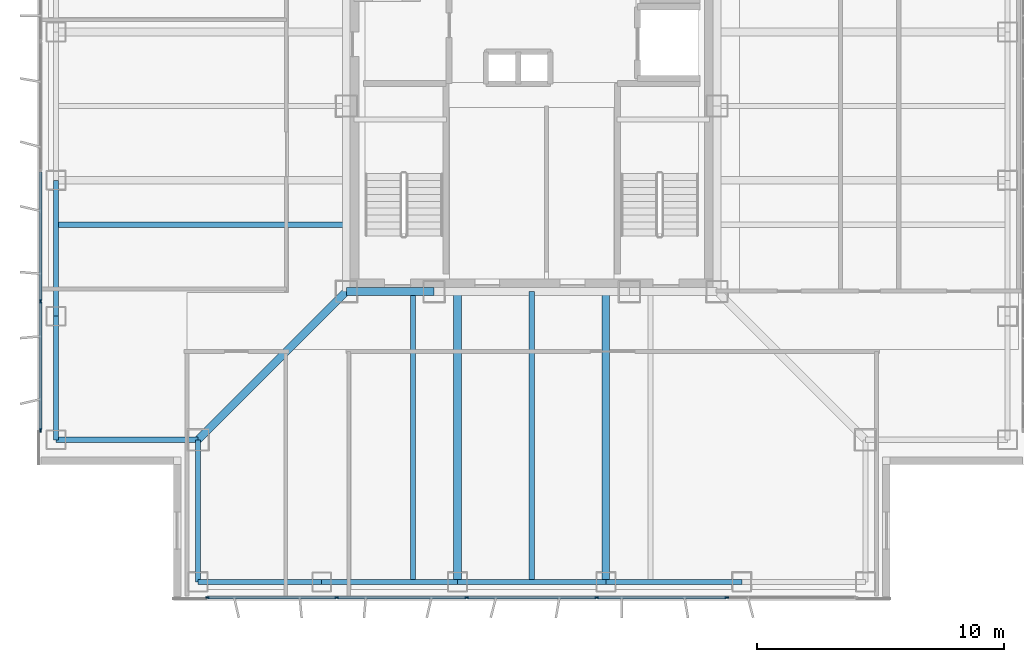
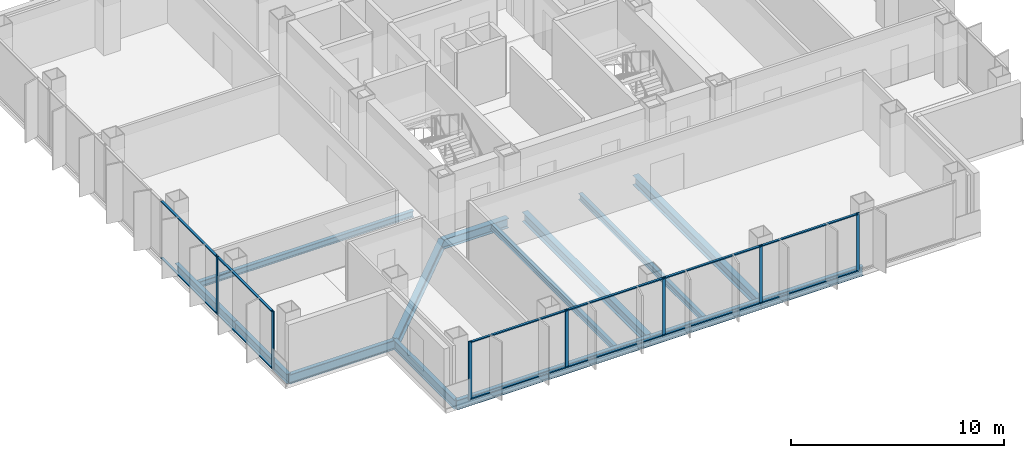
# One storey, part 2 of 17: 19 members, 15 beams, 2 elements without a shape of their own.
"""IFC4 building model written with IfcOpenShell, lengths in metres."""

from ifc_helpers import new_model, si_unit, direction, frame, origin, origin_2d, place, context, subcontext, project, spatial, rectangle, i_section, extrude, material, layer, layer_set, material_profile, profile_set, type_object, element, aggregate, save


model = new_model("IFC4")

# Units and contexts
model_context = context("Model", 3, precision=1e-05, world=origin(), true_north=direction((0.0, 1.0)))
body_context = subcontext(model_context, "Body", "Model", "MODEL_VIEW")
ifc_project = project(units=[si_unit("LENGTHUNIT", "METRE"), si_unit("AREAUNIT", "SQUARE_METRE"), si_unit("VOLUMEUNIT", "CUBIC_METRE"), si_unit("PLANEANGLEUNIT", "RADIAN"), si_unit("MASSUNIT", "GRAM", prefix="KILO")], contexts=[model_context])

# Site, building, storey
site_placement = place(None, origin())
site = spatial("IfcSite", under=ifc_project, at=site_placement, CompositionType="ELEMENT")
building_placement = place(site_placement, origin())
building = spatial("IfcBuilding", under=site, at=building_placement, Name="Trevonay Congress Spire", CompositionType="ELEMENT")
storey_placement = place(building_placement, frame((0.0, 0.0, 184.199951171875)))
storey = spatial("IfcBuildingStorey", under=building, at=storey_placement, Name="L47", CompositionType="ELEMENT", Elevation=184.199951171875)

# Beams
ifc_material_1 = material(Name="Steel ASTM A572 Grade 50", Category="steel")
ifc_material_profile_1 = material_profile(ifc_material_1, i_section(OverallWidth=0.31201171875, OverallDepth=0.54296875, WebThickness=0.0126953125, FlangeThickness=0.020263671875, FilletRadius=0.014892578125, at=origin_2d()), Name="W530x150")
ifc_profile_set_1 = profile_set([ifc_material_profile_1], Name="Steel ASTM A572 Grade 50")
beam_type_1 = type_object("IfcBeamType", Name="BM-GIRD-W530X150", PredefinedType="BEAM", material=ifc_profile_set_1)
beam_1_placement = place(storey_placement, frame((-7.5, -7.5, -0.511474609375), z_axis=(1.0, 0.0, 0.0), x_axis=(0.0, 1.0, 0.0)))
element("IfcBeam", 1, at=beam_1_placement, inside=storey, type_object=beam_type_1, Name="L47 structural beam BM-L47-CR-S1", PredefinedType="BEAM", context=body_context, shape_type="SweptSolid", body=[
    extrude(i_section(OverallWidth=0.31201171875, OverallDepth=0.54296875, WebThickness=0.0126953125, FlangeThickness=0.020263671875, FilletRadius=0.014892578125, at=origin_2d()), origin(), (0.0, 0.0, 1.0), 3.550048828125),
])
beam_2_placement = place(storey_placement, frame((-7.5, -7.5, -0.511474609375), z_axis=(-0.707106781187, -0.707106781187, 0.0), x_axis=(0.707106781187, -0.707106781187, 0.0)))
element("IfcBeam", 2, at=beam_2_placement, inside=storey, type_object=beam_type_1, Name="L47 structural beam BM-L47-CDSW", PredefinedType="BEAM", context=body_context, shape_type="SweptSolid", body=[
    extrude(i_section(OverallWidth=0.31201171875, OverallDepth=0.54296875, WebThickness=0.0126953125, FlangeThickness=0.020263671875, FilletRadius=0.014892578125, at=origin_2d()), origin(), (0.0, 0.0, 1.0), 8.4853515625),
])
for number, where, z_axis, x_axis, name in (
    (3, (-3.0, -7.5, -0.511474609375), (0.0, -1.0, 0.0), (1.0, 0.0, 0.0), "L47 structural beam BM-L47-GS-M"),
    (4, (3.0, -7.5, -0.511474609375), (0.0, -1.0, 0.0), (1.0, 0.0, 0.0), "L47 structural beam BM-L47-GS-P"),
):
    element("IfcBeam", number, at=place(storey_placement, frame(where, z_axis=z_axis, x_axis=x_axis)), inside=storey, type_object=beam_type_1, Name=name, PredefinedType="BEAM", context=body_context, shape_type="SweptSolid", body=[
        extrude(i_section(OverallWidth=0.31201171875, OverallDepth=0.54296875, WebThickness=0.0126953125, FlangeThickness=0.020263671875, FilletRadius=0.014892578125, at=origin_2d()), origin(), (0.0, 0.0, 1.0), 11.75),
    ])
ifc_material_profile_2 = material_profile(ifc_material_1, i_section(OverallWidth=0.2119140625, OverallDepth=0.5439453125, WebThickness=0.01318359375, FlangeThickness=0.021240234375, FilletRadius=0.014892578125, at=origin_2d()), Name="W530x123")
ifc_profile_set_2 = profile_set([ifc_material_profile_2], Name="Steel ASTM A572 Grade 50")
beam_type_2 = type_object("IfcBeamType", Name="BM-RING-W530X123", PredefinedType="BEAM", material=ifc_profile_set_2)
for number, where, z_axis, x_axis, name in (
    (5, (-13.5, -19.25, -0.511962890625), (1.0, 0.0, 0.0), (0.0, 1.0, 0.0), "L47 structural beam BM-L47-PS1"),
    (6, (-19.25, -13.5, -0.511962890625), (0.0, 1.0, 0.0), (-1.0, 0.0, 0.0), "L47 structural beam BM-L47-PW1"),
):
    element("IfcBeam", number, at=place(storey_placement, frame(where, z_axis=z_axis, x_axis=x_axis)), inside=storey, type_object=beam_type_2, Name=name, PredefinedType="BEAM", context=body_context, shape_type="SweptSolid", body=[
        extrude(i_section(OverallWidth=0.2119140625, OverallDepth=0.5439453125, WebThickness=0.01318359375, FlangeThickness=0.021240234375, FilletRadius=0.014892578125, at=origin_2d()), origin(), (0.0, 0.0, 1.0), 5.0),
    ])
for number, where, z_axis, x_axis, name in (
    (7, (-8.5, -19.25, -0.511962890625), (1.0, 0.0, 0.0), (0.0, 1.0, 0.0), "L47 structural beam BM-L47-PS2"),
    (8, (-19.25, -8.5, -0.511962890625), (0.0, 1.0, 0.0), (-1.0, 0.0, 0.0), "L47 structural beam BM-L47-PW2"),
):
    element("IfcBeam", number, at=place(storey_placement, frame(where, z_axis=z_axis, x_axis=x_axis)), inside=storey, type_object=beam_type_2, Name=name, PredefinedType="BEAM", context=body_context, shape_type="SweptSolid", body=[
        extrude(i_section(OverallWidth=0.2119140625, OverallDepth=0.5439453125, WebThickness=0.01318359375, FlangeThickness=0.021240234375, FilletRadius=0.014892578125, at=origin_2d()), origin(), (0.0, 0.0, 1.0), 5.5),
    ])
beam_3_placement = place(storey_placement, frame((-3.0, -19.25, -0.511962890625), z_axis=(1.0, 0.0, 0.0), x_axis=(0.0, 1.0, 0.0)))
element("IfcBeam", 9, at=beam_3_placement, inside=storey, type_object=beam_type_2, Name="L47 structural beam BM-L47-PS3", PredefinedType="BEAM", context=body_context, shape_type="SweptSolid", body=[
    extrude(i_section(OverallWidth=0.2119140625, OverallDepth=0.5439453125, WebThickness=0.01318359375, FlangeThickness=0.021240234375, FilletRadius=0.014892578125, at=origin_2d()), origin(), (0.0, 0.0, 1.0), 6.0),
])
beam_4_placement = place(storey_placement, frame((3.0, -19.25, -0.511962890625), z_axis=(1.0, 0.0, 0.0), x_axis=(0.0, 1.0, 0.0)))
element("IfcBeam", 10, at=beam_4_placement, inside=storey, type_object=beam_type_2, Name="L47 structural beam BM-L47-PS4", PredefinedType="BEAM", context=body_context, shape_type="SweptSolid", body=[
    extrude(i_section(OverallWidth=0.2119140625, OverallDepth=0.5439453125, WebThickness=0.01318359375, FlangeThickness=0.021240234375, FilletRadius=0.014892578125, at=origin_2d()), origin(), (0.0, 0.0, 1.0), 5.5),
])
for number, where, z_axis, x_axis, name in (
    (11, (-13.5, -19.25, -0.511962890625), (0.0, 1.0, 0.0), (-1.0, 0.0, 0.0), "L47 structural beam BM-L47-N1SW"),
    (12, (-19.25, -13.5, -0.511962890625), (1.0, 0.0, 0.0), (0.0, 1.0, 0.0), "L47 structural beam BM-L47-N2SW"),
):
    element("IfcBeam", number, at=place(storey_placement, frame(where, z_axis=z_axis, x_axis=x_axis)), inside=storey, type_object=beam_type_2, Name=name, PredefinedType="BEAM", context=body_context, shape_type="SweptSolid", body=[
        extrude(i_section(OverallWidth=0.2119140625, OverallDepth=0.5439453125, WebThickness=0.01318359375, FlangeThickness=0.021240234375, FilletRadius=0.014892578125, at=origin_2d()), origin(), (0.0, 0.0, 1.0), 5.75),
    ])

# Curtain wall, members
ifc_material_2 = material(Name="Pale Anodised Aluminium EN AW-6063-T6", Category="aluminium")
ifc_layer = layer(ifc_material_2, 0.169921875, Name="Pale Anodised Aluminium EN AW-6063-T6")
ifc_layer_set = layer_set([ifc_layer], Name="Pale Anodised Aluminium EN AW-6063-T6")
curtain_wall_type = type_object("IfcCurtainWallType", Name="CW-SYS04-CORP-PALE-METAL", PredefinedType="NOTDEFINED", material=ifc_layer_set)
curtain_wall_1_placement = place(storey_placement, origin())
curtain_wall_1 = element("IfcCurtainWall", 13, at=curtain_wall_1_placement, inside=storey, type_object=curtain_wall_type, Name="L47 S unitised curtain wall", PredefinedType="NOTDEFINED")
ifc_material_profile_3 = material_profile(ifc_material_2, rectangle(XDim=0.06005859375, YDim=0.159912109375, at=origin_2d()), Name="CW-MULLION-160-ALUMINIUM")
ifc_profile_set_3 = profile_set([ifc_material_profile_3], Name="Pale Anodised Aluminium EN AW-6063-T6")
member_type_1 = type_object("IfcMemberType", Name="CW-MULLION-160-ALUMINIUM", PredefinedType="MULLION", material=ifc_profile_set_3)
member_1_placement = place(storey_placement, frame((-13.1201171875, -19.8798828125, 0.0), z_axis=(0.0, 0.0, 1.0), x_axis=(0.0, 1.0, 0.0)))
member_1 = element("IfcMember", 14, at=member_1_placement, type_object=member_type_1, Name="CW04 mullion 1", PredefinedType="MULLION", context=body_context, shape_type="SweptSolid", body=[
    extrude(rectangle(XDim=0.06005859375, YDim=0.159912109375, at=origin_2d()), origin(), (0.0, 0.0, 1.0), 3.360107421875),
])
member_2_placement = place(storey_placement, frame((-7.889892578125, -19.8798828125, 0.0), z_axis=(0.0, 0.0, 1.0), x_axis=(0.0, 1.0, 0.0)))
member_2 = element("IfcMember", 15, at=member_2_placement, type_object=member_type_1, Name="CW04 mullion 2", PredefinedType="MULLION", context=body_context, shape_type="SweptSolid", body=[
    extrude(rectangle(XDim=0.06005859375, YDim=0.159912109375, at=origin_2d()), origin(), (0.0, 0.0, 1.0), 3.360107421875),
])
member_3_placement = place(storey_placement, frame((-2.6298828125, -19.8798828125, 0.0), z_axis=(0.0, 0.0, 1.0), x_axis=(0.0, 1.0, 0.0)))
member_3 = element("IfcMember", 16, at=member_3_placement, type_object=member_type_1, Name="CW04 mullion 3", PredefinedType="MULLION", context=body_context, shape_type="SweptSolid", body=[
    extrude(rectangle(XDim=0.06005859375, YDim=0.159912109375, at=origin_2d()), origin(), (0.0, 0.0, 1.0), 3.360107421875),
])
member_4_placement = place(storey_placement, frame((2.6298828125, -19.8798828125, 0.0), z_axis=(0.0, 0.0, 1.0), x_axis=(0.0, 1.0, 0.0)))
member_4 = element("IfcMember", 17, at=member_4_placement, type_object=member_type_1, Name="CW04 mullion 4", PredefinedType="MULLION", context=body_context, shape_type="SweptSolid", body=[
    extrude(rectangle(XDim=0.06005859375, YDim=0.159912109375, at=origin_2d()), origin(), (0.0, 0.0, 1.0), 3.360107421875),
])
member_5_placement = place(storey_placement, frame((7.889892578125, -19.8798828125, 0.0), z_axis=(0.0, 0.0, 1.0), x_axis=(0.0, 1.0, 0.0)))
member_5 = element("IfcMember", 18, at=member_5_placement, type_object=member_type_1, Name="CW04 mullion 5", PredefinedType="MULLION", context=body_context, shape_type="SweptSolid", body=[
    extrude(rectangle(XDim=0.06005859375, YDim=0.159912109375, at=origin_2d()), origin(), (0.0, 0.0, 1.0), 3.360107421875),
])

curtain_wall_2_placement = place(storey_placement, origin())
curtain_wall_2 = element("IfcCurtainWall", 19, at=curtain_wall_2_placement, inside=storey, type_object=curtain_wall_type, Name="L47 W unitised curtain wall", PredefinedType="NOTDEFINED")
member_6_placement = place(storey_placement, frame((-19.8798828125, -13.1201171875, 0.0), z_axis=(0.0, 0.0, 1.0), x_axis=(-1.0, 0.0, 0.0)))
member_6 = element("IfcMember", 20, at=member_6_placement, type_object=member_type_1, Name="CW04 mullion 1", PredefinedType="MULLION", context=body_context, shape_type="SweptSolid", body=[
    extrude(rectangle(XDim=0.06005859375, YDim=0.159912109375, at=origin_2d()), origin(), (0.0, 0.0, 1.0), 3.360107421875),
])
member_7_placement = place(storey_placement, frame((-19.8798828125, -7.889892578125, 0.0), z_axis=(0.0, 0.0, 1.0), x_axis=(-1.0, 0.0, 0.0)))
member_7 = element("IfcMember", 21, at=member_7_placement, type_object=member_type_1, Name="CW04 mullion 2", PredefinedType="MULLION", context=body_context, shape_type="SweptSolid", body=[
    extrude(rectangle(XDim=0.06005859375, YDim=0.159912109375, at=origin_2d()), origin(), (0.0, 0.0, 1.0), 3.360107421875),
])

# Member
ifc_material_profile_4 = material_profile(ifc_material_2, rectangle(XDim=0.1201171875, YDim=0.06005859375, at=origin_2d()), Name="CW-TRANSOM-120-ALUMINIUM")
ifc_profile_set_4 = profile_set([ifc_material_profile_4], Name="Pale Anodised Aluminium EN AW-6063-T6")
member_type_2 = type_object("IfcMemberType", Name="CW-TRANSOM-120-ALUMINIUM", PredefinedType="USERDEFINED", material=ifc_profile_set_4)
member_8_placement = place(storey_placement, frame((-13.090087890625, -19.8798828125, 0.06005859375), z_axis=(1.0, 0.0, 0.0), x_axis=(0.0, 1.0, 0.0)))
member_8 = element("IfcMember", 22, at=member_8_placement, type_object=member_type_2, Name="CW04 transom 1.1", ObjectType="TRANSOM", PredefinedType="USERDEFINED", context=body_context, shape_type="SweptSolid", body=[
    extrude(rectangle(XDim=0.1201171875, YDim=0.06005859375, at=origin_2d()), origin(), (0.0, 0.0, 1.0), 5.170166015625),
])

member_9_placement = place(storey_placement, frame((-13.090087890625, -19.8798828125, 3.300048828125), z_axis=(1.0, 0.0, 0.0), x_axis=(0.0, 1.0, 0.0)))
member_9 = element("IfcMember", 23, at=member_9_placement, type_object=member_type_2, Name="CW04 transom 1.2", ObjectType="TRANSOM", PredefinedType="USERDEFINED", context=body_context, shape_type="SweptSolid", body=[
    extrude(rectangle(XDim=0.1201171875, YDim=0.06005859375, at=origin_2d()), origin(), (0.0, 0.0, 1.0), 5.170166015625),
])

member_10_placement = place(storey_placement, frame((-7.860107421875, -19.8798828125, 0.06005859375), z_axis=(1.0, 0.0, 0.0), x_axis=(0.0, 1.0, 0.0)))
member_10 = element("IfcMember", 24, at=member_10_placement, type_object=member_type_2, Name="CW04 transom 2.1", ObjectType="TRANSOM", PredefinedType="USERDEFINED", context=body_context, shape_type="SweptSolid", body=[
    extrude(rectangle(XDim=0.1201171875, YDim=0.06005859375, at=origin_2d()), origin(), (0.0, 0.0, 1.0), 5.2001953125),
])

member_11_placement = place(storey_placement, frame((-7.860107421875, -19.8798828125, 3.300048828125), z_axis=(1.0, 0.0, 0.0), x_axis=(0.0, 1.0, 0.0)))
member_11 = element("IfcMember", 25, at=member_11_placement, type_object=member_type_2, Name="CW04 transom 2.2", ObjectType="TRANSOM", PredefinedType="USERDEFINED", context=body_context, shape_type="SweptSolid", body=[
    extrude(rectangle(XDim=0.1201171875, YDim=0.06005859375, at=origin_2d()), origin(), (0.0, 0.0, 1.0), 5.2001953125),
])

member_12_placement = place(storey_placement, frame((-2.60009765625, -19.8798828125, 0.06005859375), z_axis=(1.0, 0.0, 0.0), x_axis=(0.0, 1.0, 0.0)))
member_12 = element("IfcMember", 26, at=member_12_placement, type_object=member_type_2, Name="CW04 transom 3.1", ObjectType="TRANSOM", PredefinedType="USERDEFINED", context=body_context, shape_type="SweptSolid", body=[
    extrude(rectangle(XDim=0.1201171875, YDim=0.06005859375, at=origin_2d()), origin(), (0.0, 0.0, 1.0), 5.2001953125),
])

member_13_placement = place(storey_placement, frame((-2.60009765625, -19.8798828125, 3.300048828125), z_axis=(1.0, 0.0, 0.0), x_axis=(0.0, 1.0, 0.0)))
member_13 = element("IfcMember", 27, at=member_13_placement, type_object=member_type_2, Name="CW04 transom 3.2", ObjectType="TRANSOM", PredefinedType="USERDEFINED", context=body_context, shape_type="SweptSolid", body=[
    extrude(rectangle(XDim=0.1201171875, YDim=0.06005859375, at=origin_2d()), origin(), (0.0, 0.0, 1.0), 5.2001953125),
])

member_14_placement = place(storey_placement, frame((2.659912109375, -19.8798828125, 0.06005859375), z_axis=(1.0, 0.0, 0.0), x_axis=(0.0, 1.0, 0.0)))
member_14 = element("IfcMember", 28, at=member_14_placement, type_object=member_type_2, Name="CW04 transom 4.1", ObjectType="TRANSOM", PredefinedType="USERDEFINED", context=body_context, shape_type="SweptSolid", body=[
    extrude(rectangle(XDim=0.1201171875, YDim=0.06005859375, at=origin_2d()), origin(), (0.0, 0.0, 1.0), 5.2001953125),
])

member_15_placement = place(storey_placement, frame((2.659912109375, -19.8798828125, 3.300048828125), z_axis=(1.0, 0.0, 0.0), x_axis=(0.0, 1.0, 0.0)))
member_15 = element("IfcMember", 29, at=member_15_placement, type_object=member_type_2, Name="CW04 transom 4.2", ObjectType="TRANSOM", PredefinedType="USERDEFINED", context=body_context, shape_type="SweptSolid", body=[
    extrude(rectangle(XDim=0.1201171875, YDim=0.06005859375, at=origin_2d()), origin(), (0.0, 0.0, 1.0), 5.2001953125),
])

aggregate(curtain_wall_1, [member_1, member_2, member_3, member_4, member_5, member_8, member_9, member_10, member_11, member_12, member_13, member_14, member_15])

member_16_placement = place(storey_placement, frame((-19.8798828125, -13.090087890625, 0.06005859375), z_axis=(0.0, 1.0, 0.0), x_axis=(-1.0, 0.0, 0.0)))
member_16 = element("IfcMember", 30, at=member_16_placement, type_object=member_type_2, Name="CW04 transom 1.1", ObjectType="TRANSOM", PredefinedType="USERDEFINED", context=body_context, shape_type="SweptSolid", body=[
    extrude(rectangle(XDim=0.1201171875, YDim=0.06005859375, at=origin_2d()), origin(), (0.0, 0.0, 1.0), 5.170166015625),
])

member_17_placement = place(storey_placement, frame((-19.8798828125, -13.090087890625, 3.300048828125), z_axis=(0.0, 1.0, 0.0), x_axis=(-1.0, 0.0, 0.0)))
member_17 = element("IfcMember", 31, at=member_17_placement, type_object=member_type_2, Name="CW04 transom 1.2", ObjectType="TRANSOM", PredefinedType="USERDEFINED", context=body_context, shape_type="SweptSolid", body=[
    extrude(rectangle(XDim=0.1201171875, YDim=0.06005859375, at=origin_2d()), origin(), (0.0, 0.0, 1.0), 5.170166015625),
])

member_18_placement = place(storey_placement, frame((-19.8798828125, -7.860107421875, 0.06005859375), z_axis=(0.0, 1.0, 0.0), x_axis=(-1.0, 0.0, 0.0)))
member_18 = element("IfcMember", 32, at=member_18_placement, type_object=member_type_2, Name="CW04 transom 2.1", ObjectType="TRANSOM", PredefinedType="USERDEFINED", context=body_context, shape_type="SweptSolid", body=[
    extrude(rectangle(XDim=0.1201171875, YDim=0.06005859375, at=origin_2d()), origin(), (0.0, 0.0, 1.0), 5.2001953125),
])

member_19_placement = place(storey_placement, frame((-19.8798828125, -7.860107421875, 3.300048828125), z_axis=(0.0, 1.0, 0.0), x_axis=(-1.0, 0.0, 0.0)))
member_19 = element("IfcMember", 33, at=member_19_placement, type_object=member_type_2, Name="CW04 transom 2.2", ObjectType="TRANSOM", PredefinedType="USERDEFINED", context=body_context, shape_type="SweptSolid", body=[
    extrude(rectangle(XDim=0.1201171875, YDim=0.06005859375, at=origin_2d()), origin(), (0.0, 0.0, 1.0), 5.2001953125),
])

aggregate(curtain_wall_2, [member_6, member_7, member_16, member_17, member_18, member_19])

# Beams
ifc_material_profile_5 = material_profile(ifc_material_1, i_section(OverallWidth=0.205078125, OverallDepth=0.35400390625, WebThickness=0.009521484375, FlangeThickness=0.016845703125, FilletRadius=0.011962890625, at=origin_2d()), Name="W360x79")
ifc_profile_set_5 = profile_set([ifc_material_profile_5], Name="Steel ASTM A572 Grade 50")
beam_type_3 = type_object("IfcBeamType", Name="JS-COMP-W360X79", PredefinedType="JOIST", material=ifc_profile_set_5)
for number, where, z_axis, x_axis, name in (
    (34, (-4.800048828125, -19.25, -0.4169921875), (0.0, 1.0, 0.0), (-1.0, 0.0, 0.0), "L47 structural beam JS-L47-NS-S1"),
    (35, (-19.25, -4.800048828125, -0.4169921875), (1.0, 0.0, 0.0), (0.0, 1.0, 0.0), "L47 structural beam JS-L47-EW-W1"),
    (36, (0.0, -19.25, -0.4169921875), (0.0, 1.0, 0.0), (-1.0, 0.0, 0.0), "L47 structural beam JS-L47-NS-S2"),
):
    element("IfcBeam", number, at=place(storey_placement, frame(where, z_axis=z_axis, x_axis=x_axis)), inside=storey, type_object=beam_type_3, Name=name, PredefinedType="JOIST", context=body_context, shape_type="SweptSolid", body=[
        extrude(i_section(OverallWidth=0.205078125, OverallDepth=0.35400390625, WebThickness=0.009521484375, FlangeThickness=0.016845703125, FilletRadius=0.011962890625, at=origin_2d()), origin(), (0.0, 0.0, 1.0), 11.75),
    ])

save(model, "model.ifc")
